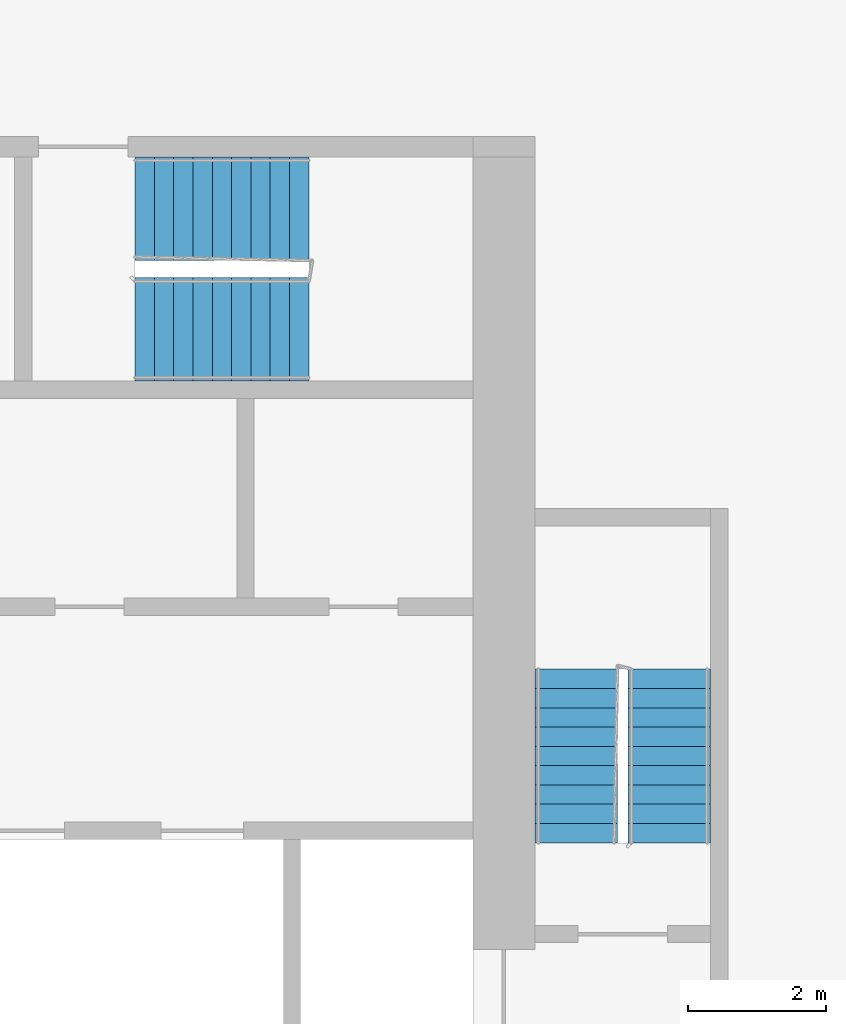
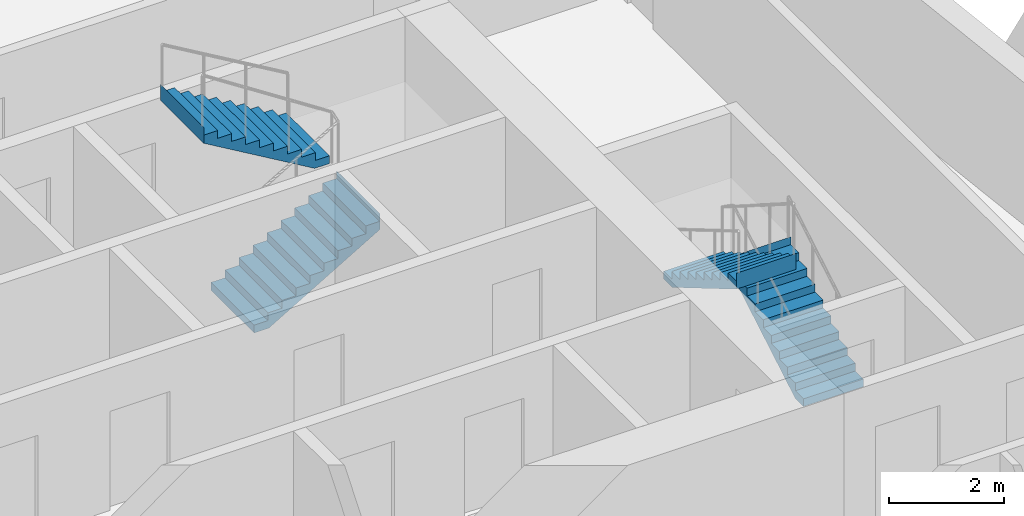
# One storey, part 11 of 13: 4 stair flights, 2 elements without a shape of their own.
"""IFC4 building model written with IfcOpenShell, lengths in metres."""

from ifc_helpers import new_model, si_unit, direction, frame, origin, place, context, subcontext, project, spatial, faceted_brep, material, type_object, element, aggregate, save


model = new_model("IFC4")

# Units and contexts
model_context = context("Model", 3, precision=1e-05, world=origin(), true_north=direction((0.0, 1.0)))
body_context = subcontext(model_context, "Body", "Model", "MODEL_VIEW")
ifc_project = project(units=[si_unit("LENGTHUNIT", "METRE"), si_unit("AREAUNIT", "SQUARE_METRE"), si_unit("VOLUMEUNIT", "CUBIC_METRE"), si_unit("PLANEANGLEUNIT", "RADIAN"), si_unit("MASSUNIT", "GRAM", prefix="KILO")], contexts=[model_context])

# Site, building, storey
site_placement = place(None, origin())
site = spatial("IfcSite", under=ifc_project, at=site_placement, CompositionType="ELEMENT")
building_placement = place(site_placement, origin())
building = spatial("IfcBuilding", under=site, at=building_placement, Name="Kajstack Hotel Tower", CompositionType="ELEMENT")
storey_placement = place(building_placement, frame((0.0, 0.0, 176.800048828125)))
storey = spatial("IfcBuildingStorey", under=building, at=storey_placement, Name="L41", CompositionType="ELEMENT", Elevation=176.800048828125)

# Stair, stair flights
ifc_material = material(Name="Concrete C40/50", Category="concrete")
stair_type_1 = type_object("IfcStairType", Name="Exit stair 1200", PredefinedType="HALF_TURN_STAIR", material=ifc_material)
stair_1_placement = place(storey_placement, origin())
stair_1 = element("IfcStair", 1, at=stair_1_placement, inside=storey, type_object=stair_type_1, Name="L41 stair E1", PredefinedType="HALF_TURN_STAIR")
stair_flight_type_1 = type_object("IfcStairFlightType", Name="Exit stair flight 1200", PredefinedType="STRAIGHT", material=ifc_material)
stair_flight_1_placement = place(storey_placement, frame((33.449951171875, 5.25, 0.0), z_axis=(0.0, 0.0, 1.0), x_axis=(0.0, 1.0, 0.0)))
stair_flight_1 = element("IfcStairFlight", 2, at=stair_flight_1_placement, type_object=stair_flight_type_1, Name="E1 flight 1", NumberOfRisers=10, NumberOfTreads=9, PredefinedType="STRAIGHT", RiserHeight=0.165, TreadLength=0.28, context=body_context, shape_type="Brep", body=[
    faceted_brep([(0.295654296875, -0.60009765625, 0.0), (2.5205078125, -0.60009765625, 1.31103515625), (2.5205078125, -0.60009765625, 1.64990234375), (2.52001953125, -0.60009765625, 1.64990234375), (2.52001953125, -0.60009765625, 1.485107421875), (2.239990234375, -0.60009765625, 1.485107421875), (2.239990234375, -0.60009765625, 1.320068359375), (1.9599609375, -0.60009765625, 1.320068359375), (1.9599609375, -0.60009765625, 1.155029296875), (1.679931640625, -0.60009765625, 1.155029296875), (1.679931640625, -0.60009765625, 0.989990234375), (1.39990234375, -0.60009765625, 0.989990234375), (1.39990234375, -0.60009765625, 0.824951171875), (1.1201171875, -0.60009765625, 0.824951171875), (1.1201171875, -0.60009765625, 0.659912109375), (0.840087890625, -0.60009765625, 0.659912109375), (0.840087890625, -0.60009765625, 0.4951171875), (0.56005859375, -0.60009765625, 0.4951171875), (0.56005859375, -0.60009765625, 0.330078125), (0.280029296875, -0.60009765625, 0.330078125), (0.280029296875, -0.60009765625, 0.1650390625), (-0.00048828125, -0.60009765625, 0.1650390625), (-0.00048828125, -0.60009765625, 0.0), (-0.00048828125, 0.60009765625, 0.0), (-0.00048828125, 0.60009765625, 0.1650390625), (0.280029296875, 0.60009765625, 0.1650390625), (0.280029296875, 0.60009765625, 0.330078125), (0.56005859375, 0.60009765625, 0.330078125), (0.56005859375, 0.60009765625, 0.4951171875), (0.840087890625, 0.60009765625, 0.4951171875), (0.840087890625, 0.60009765625, 0.659912109375), (1.1201171875, 0.60009765625, 0.659912109375), (1.1201171875, 0.60009765625, 0.824951171875), (1.39990234375, 0.60009765625, 0.824951171875), (1.39990234375, 0.60009765625, 0.989990234375), (1.679931640625, 0.60009765625, 0.989990234375), (1.679931640625, 0.60009765625, 1.155029296875), (1.9599609375, 0.60009765625, 1.155029296875), (1.9599609375, 0.60009765625, 1.320068359375), (2.239990234375, 0.60009765625, 1.320068359375), (2.239990234375, 0.60009765625, 1.485107421875), (2.52001953125, 0.60009765625, 1.485107421875), (2.52001953125, 0.60009765625, 1.64990234375), (2.5205078125, 0.60009765625, 1.64990234375), (2.5205078125, 0.60009765625, 1.31103515625), (0.295654296875, 0.60009765625, 0.0), (-0.00048828125, -0.300048828125, 0.1650390625), (-0.00048828125, 0.0, 0.1650390625), (-0.00048828125, 0.300048828125, 0.1650390625), (-0.00048828125, 0.300048828125, 0.0), (-0.00048828125, 0.0, 0.0), (-0.00048828125, -0.300048828125, 0.0), (0.280029296875, -0.300048828125, 0.1650390625), (0.280029296875, 0.0, 0.1650390625), (0.280029296875, 0.300048828125, 0.1650390625), (0.280029296875, -0.300048828125, 0.330078125), (0.280029296875, 0.0, 0.330078125), (0.280029296875, 0.300048828125, 0.330078125), (0.56005859375, -0.300048828125, 0.330078125), (0.56005859375, 0.0, 0.330078125), (0.56005859375, 0.300048828125, 0.330078125), (0.56005859375, -0.300048828125, 0.4951171875), (0.56005859375, 0.0, 0.4951171875), (0.56005859375, 0.300048828125, 0.4951171875), (0.840087890625, -0.300048828125, 0.4951171875), (0.840087890625, 0.0, 0.4951171875), (0.840087890625, 0.300048828125, 0.4951171875), (0.840087890625, -0.300048828125, 0.659912109375), (0.840087890625, 0.0, 0.659912109375), (0.840087890625, 0.300048828125, 0.659912109375), (1.1201171875, -0.300048828125, 0.659912109375), (1.1201171875, 0.0, 0.659912109375), (1.1201171875, 0.300048828125, 0.659912109375), (1.1201171875, -0.300048828125, 0.824951171875), (1.1201171875, 0.0, 0.824951171875), (1.1201171875, 0.300048828125, 0.824951171875), (1.39990234375, -0.300048828125, 0.824951171875), (1.39990234375, 0.0, 0.824951171875), (1.39990234375, 0.300048828125, 0.824951171875), (1.39990234375, -0.300048828125, 0.989990234375), (1.39990234375, 0.0, 0.989990234375), (1.39990234375, 0.300048828125, 0.989990234375), (1.679931640625, -0.300048828125, 0.989990234375), (1.679931640625, 0.0, 0.989990234375), (1.679931640625, 0.300048828125, 0.989990234375), (1.679931640625, -0.300048828125, 1.155029296875), (1.679931640625, 0.0, 1.155029296875), (1.679931640625, 0.300048828125, 1.155029296875), (1.9599609375, -0.300048828125, 1.155029296875), (1.9599609375, 0.0, 1.155029296875), (1.9599609375, 0.300048828125, 1.155029296875), (1.9599609375, -0.300048828125, 1.320068359375), (1.9599609375, 0.0, 1.320068359375), (1.9599609375, 0.300048828125, 1.320068359375), (2.239990234375, -0.300048828125, 1.320068359375), (2.239990234375, 0.0, 1.320068359375), (2.239990234375, 0.300048828125, 1.320068359375), (2.239990234375, -0.300048828125, 1.485107421875), (2.239990234375, 0.0, 1.485107421875), (2.239990234375, 0.300048828125, 1.485107421875), (2.52001953125, -0.300048828125, 1.485107421875), (2.52001953125, 0.0, 1.485107421875), (2.52001953125, 0.300048828125, 1.485107421875), (2.52001953125, -0.300048828125, 1.64990234375), (2.52001953125, 0.0, 1.64990234375), (2.52001953125, 0.300048828125, 1.64990234375), (2.5205078125, -0.300048828125, 1.64990234375), (2.5205078125, 0.0, 1.64990234375), (2.5205078125, 0.300048828125, 1.64990234375), (2.5205078125, -0.300048828125, 1.31103515625), (2.5205078125, 0.0, 1.31103515625), (2.5205078125, 0.300048828125, 1.31103515625), (0.295654296875, -0.300048828125, 0.0), (0.295654296875, 0.0, 0.0), (0.295654296875, 0.300048828125, 0.0)], [[[0, 1, 2, 3, 4, 5, 6, 7, 8, 9, 10, 11, 12, 13, 14, 15, 16, 17, 18, 19, 20, 21, 22]], [[23, 24, 25, 26, 27, 28, 29, 30, 31, 32, 33, 34, 35, 36, 37, 38, 39, 40, 41, 42, 43, 44, 45]], [[21, 46, 47, 48, 24, 23, 49, 50, 51, 22]], [[20, 52, 53, 54, 25, 24, 48, 47, 46, 21]], [[19, 55, 56, 57, 26, 25, 54, 53, 52, 20]], [[18, 58, 59, 60, 27, 26, 57, 56, 55, 19]], [[17, 61, 62, 63, 28, 27, 60, 59, 58, 18]], [[16, 64, 65, 66, 29, 28, 63, 62, 61, 17]], [[15, 67, 68, 69, 30, 29, 66, 65, 64, 16]], [[14, 70, 71, 72, 31, 30, 69, 68, 67, 15]], [[13, 73, 74, 75, 32, 31, 72, 71, 70, 14]], [[12, 76, 77, 78, 33, 32, 75, 74, 73, 13]], [[11, 79, 80, 81, 34, 33, 78, 77, 76, 12]], [[10, 82, 83, 84, 35, 34, 81, 80, 79, 11]], [[9, 85, 86, 87, 36, 35, 84, 83, 82, 10]], [[8, 88, 89, 90, 37, 36, 87, 86, 85, 9]], [[7, 91, 92, 93, 38, 37, 90, 89, 88, 8]], [[6, 94, 95, 96, 39, 38, 93, 92, 91, 7]], [[5, 97, 98, 99, 40, 39, 96, 95, 94, 6]], [[4, 100, 101, 102, 41, 40, 99, 98, 97, 5]], [[3, 103, 104, 105, 42, 41, 102, 101, 100, 4]], [[2, 106, 107, 108, 43, 42, 105, 104, 103, 3]], [[1, 109, 110, 111, 44, 43, 108, 107, 106, 2]], [[0, 112, 113, 114, 45, 44, 111, 110, 109, 1]], [[22, 51, 50, 49, 23, 45, 114, 113, 112, 0]]]),
])
stair_flight_2_placement = place(storey_placement, frame((32.10009765625, 7.77001953125, 1.64990234375), z_axis=(0.0, 0.0, 1.0), x_axis=(0.0, -1.0, 0.0)))
stair_flight_2 = element("IfcStairFlight", 3, at=stair_flight_2_placement, type_object=stair_flight_type_1, Name="E1 flight 2", NumberOfRisers=10, NumberOfTreads=9, PredefinedType="STRAIGHT", RiserHeight=0.165, TreadLength=0.28, context=body_context, shape_type="Brep", body=[
    faceted_brep([(0.295654296875, -0.60009765625, 0.0), (2.5205078125, -0.60009765625, 1.31103515625), (2.5205078125, -0.60009765625, 1.64990234375), (2.52001953125, -0.60009765625, 1.64990234375), (2.52001953125, -0.60009765625, 1.485107421875), (2.239990234375, -0.60009765625, 1.485107421875), (2.239990234375, -0.60009765625, 1.320068359375), (1.9599609375, -0.60009765625, 1.320068359375), (1.9599609375, -0.60009765625, 1.155029296875), (1.679931640625, -0.60009765625, 1.155029296875), (1.679931640625, -0.60009765625, 0.989990234375), (1.39990234375, -0.60009765625, 0.989990234375), (1.39990234375, -0.60009765625, 0.824951171875), (1.1201171875, -0.60009765625, 0.824951171875), (1.1201171875, -0.60009765625, 0.659912109375), (0.840087890625, -0.60009765625, 0.659912109375), (0.840087890625, -0.60009765625, 0.4951171875), (0.56005859375, -0.60009765625, 0.4951171875), (0.56005859375, -0.60009765625, 0.330078125), (0.280029296875, -0.60009765625, 0.330078125), (0.280029296875, -0.60009765625, 0.1650390625), (-0.00048828125, -0.60009765625, 0.1650390625), (-0.00048828125, -0.60009765625, 0.0), (-0.00048828125, 0.60009765625, 0.0), (-0.00048828125, 0.60009765625, 0.1650390625), (0.280029296875, 0.60009765625, 0.1650390625), (0.280029296875, 0.60009765625, 0.330078125), (0.56005859375, 0.60009765625, 0.330078125), (0.56005859375, 0.60009765625, 0.4951171875), (0.840087890625, 0.60009765625, 0.4951171875), (0.840087890625, 0.60009765625, 0.659912109375), (1.1201171875, 0.60009765625, 0.659912109375), (1.1201171875, 0.60009765625, 0.824951171875), (1.39990234375, 0.60009765625, 0.824951171875), (1.39990234375, 0.60009765625, 0.989990234375), (1.679931640625, 0.60009765625, 0.989990234375), (1.679931640625, 0.60009765625, 1.155029296875), (1.9599609375, 0.60009765625, 1.155029296875), (1.9599609375, 0.60009765625, 1.320068359375), (2.239990234375, 0.60009765625, 1.320068359375), (2.239990234375, 0.60009765625, 1.485107421875), (2.52001953125, 0.60009765625, 1.485107421875), (2.52001953125, 0.60009765625, 1.64990234375), (2.5205078125, 0.60009765625, 1.64990234375), (2.5205078125, 0.60009765625, 1.31103515625), (0.295654296875, 0.60009765625, 0.0), (-0.00048828125, -0.300048828125, 0.1650390625), (-0.00048828125, 0.0, 0.1650390625), (-0.00048828125, 0.300048828125, 0.1650390625), (-0.00048828125, 0.300048828125, 0.0), (-0.00048828125, 0.0, 0.0), (-0.00048828125, -0.300048828125, 0.0), (0.280029296875, -0.300048828125, 0.1650390625), (0.280029296875, 0.0, 0.1650390625), (0.280029296875, 0.300048828125, 0.1650390625), (0.280029296875, -0.300048828125, 0.330078125), (0.280029296875, 0.0, 0.330078125), (0.280029296875, 0.300048828125, 0.330078125), (0.56005859375, -0.300048828125, 0.330078125), (0.56005859375, 0.0, 0.330078125), (0.56005859375, 0.300048828125, 0.330078125), (0.56005859375, -0.300048828125, 0.4951171875), (0.56005859375, 0.0, 0.4951171875), (0.56005859375, 0.300048828125, 0.4951171875), (0.840087890625, -0.300048828125, 0.4951171875), (0.840087890625, 0.0, 0.4951171875), (0.840087890625, 0.300048828125, 0.4951171875), (0.840087890625, -0.300048828125, 0.659912109375), (0.840087890625, 0.0, 0.659912109375), (0.840087890625, 0.300048828125, 0.659912109375), (1.1201171875, -0.300048828125, 0.659912109375), (1.1201171875, 0.0, 0.659912109375), (1.1201171875, 0.300048828125, 0.659912109375), (1.1201171875, -0.300048828125, 0.824951171875), (1.1201171875, 0.0, 0.824951171875), (1.1201171875, 0.300048828125, 0.824951171875), (1.39990234375, -0.300048828125, 0.824951171875), (1.39990234375, 0.0, 0.824951171875), (1.39990234375, 0.300048828125, 0.824951171875), (1.39990234375, -0.300048828125, 0.989990234375), (1.39990234375, 0.0, 0.989990234375), (1.39990234375, 0.300048828125, 0.989990234375), (1.679931640625, -0.300048828125, 0.989990234375), (1.679931640625, 0.0, 0.989990234375), (1.679931640625, 0.300048828125, 0.989990234375), (1.679931640625, -0.300048828125, 1.155029296875), (1.679931640625, 0.0, 1.155029296875), (1.679931640625, 0.300048828125, 1.155029296875), (1.9599609375, -0.300048828125, 1.155029296875), (1.9599609375, 0.0, 1.155029296875), (1.9599609375, 0.300048828125, 1.155029296875), (1.9599609375, -0.300048828125, 1.320068359375), (1.9599609375, 0.0, 1.320068359375), (1.9599609375, 0.300048828125, 1.320068359375), (2.239990234375, -0.300048828125, 1.320068359375), (2.239990234375, 0.0, 1.320068359375), (2.239990234375, 0.300048828125, 1.320068359375), (2.239990234375, -0.300048828125, 1.485107421875), (2.239990234375, 0.0, 1.485107421875), (2.239990234375, 0.300048828125, 1.485107421875), (2.52001953125, -0.300048828125, 1.485107421875), (2.52001953125, 0.0, 1.485107421875), (2.52001953125, 0.300048828125, 1.485107421875), (2.52001953125, -0.300048828125, 1.64990234375), (2.52001953125, 0.0, 1.64990234375), (2.52001953125, 0.300048828125, 1.64990234375), (2.5205078125, -0.300048828125, 1.64990234375), (2.5205078125, 0.0, 1.64990234375), (2.5205078125, 0.300048828125, 1.64990234375), (2.5205078125, -0.300048828125, 1.31103515625), (2.5205078125, 0.0, 1.31103515625), (2.5205078125, 0.300048828125, 1.31103515625), (0.295654296875, -0.300048828125, 0.0), (0.295654296875, 0.0, 0.0), (0.295654296875, 0.300048828125, 0.0)], [[[0, 1, 2, 3, 4, 5, 6, 7, 8, 9, 10, 11, 12, 13, 14, 15, 16, 17, 18, 19, 20, 21, 22]], [[23, 24, 25, 26, 27, 28, 29, 30, 31, 32, 33, 34, 35, 36, 37, 38, 39, 40, 41, 42, 43, 44, 45]], [[21, 46, 47, 48, 24, 23, 49, 50, 51, 22]], [[20, 52, 53, 54, 25, 24, 48, 47, 46, 21]], [[19, 55, 56, 57, 26, 25, 54, 53, 52, 20]], [[18, 58, 59, 60, 27, 26, 57, 56, 55, 19]], [[17, 61, 62, 63, 28, 27, 60, 59, 58, 18]], [[16, 64, 65, 66, 29, 28, 63, 62, 61, 17]], [[15, 67, 68, 69, 30, 29, 66, 65, 64, 16]], [[14, 70, 71, 72, 31, 30, 69, 68, 67, 15]], [[13, 73, 74, 75, 32, 31, 72, 71, 70, 14]], [[12, 76, 77, 78, 33, 32, 75, 74, 73, 13]], [[11, 79, 80, 81, 34, 33, 78, 77, 76, 12]], [[10, 82, 83, 84, 35, 34, 81, 80, 79, 11]], [[9, 85, 86, 87, 36, 35, 84, 83, 82, 10]], [[8, 88, 89, 90, 37, 36, 87, 86, 85, 9]], [[7, 91, 92, 93, 38, 37, 90, 89, 88, 8]], [[6, 94, 95, 96, 39, 38, 93, 92, 91, 7]], [[5, 97, 98, 99, 40, 39, 96, 95, 94, 6]], [[4, 100, 101, 102, 41, 40, 99, 98, 97, 5]], [[3, 103, 104, 105, 42, 41, 102, 101, 100, 4]], [[2, 106, 107, 108, 43, 42, 105, 104, 103, 3]], [[1, 109, 110, 111, 44, 43, 108, 107, 106, 2]], [[0, 112, 113, 114, 45, 44, 111, 110, 109, 1]], [[22, 51, 50, 49, 23, 45, 114, 113, 112, 0]]]),
])
aggregate(stair_1, [stair_flight_1, stair_flight_2])

stair_type_2 = type_object("IfcStairType", Name="Exit stair 1500", PredefinedType="HALF_TURN_STAIR", material=ifc_material)
stair_2_placement = place(storey_placement, origin())
stair_2 = element("IfcStair", 4, at=stair_2_placement, inside=storey, type_object=stair_type_2, Name="L41 stair E3", PredefinedType="HALF_TURN_STAIR")
stair_flight_type_2 = type_object("IfcStairFlightType", Name="Exit stair flight 1500", PredefinedType="STRAIGHT", material=ifc_material)
stair_flight_3_placement = place(storey_placement, frame((25.699951171875, 12.699951171875, 0.0), z_axis=(0.0, 0.0, 1.0), x_axis=(1.0, 0.0, 0.0)))
stair_flight_3 = element("IfcStairFlight", 5, at=stair_flight_3_placement, type_object=stair_flight_type_2, Name="E3 flight 1", NumberOfRisers=10, NumberOfTreads=9, PredefinedType="STRAIGHT", RiserHeight=0.165, TreadLength=0.28, context=body_context, shape_type="Brep", body=[
    faceted_brep([(0.295654296875, -0.75, 0.0), (2.5205078125, -0.75, 1.31103515625), (2.5205078125, -0.75, 1.64990234375), (2.52001953125, -0.75, 1.64990234375), (2.52001953125, -0.75, 1.485107421875), (2.239990234375, -0.75, 1.485107421875), (2.239990234375, -0.75, 1.320068359375), (1.9599609375, -0.75, 1.320068359375), (1.9599609375, -0.75, 1.155029296875), (1.679931640625, -0.75, 1.155029296875), (1.679931640625, -0.75, 0.989990234375), (1.39990234375, -0.75, 0.989990234375), (1.39990234375, -0.75, 0.824951171875), (1.1201171875, -0.75, 0.824951171875), (1.1201171875, -0.75, 0.659912109375), (0.840087890625, -0.75, 0.659912109375), (0.840087890625, -0.75, 0.4951171875), (0.56005859375, -0.75, 0.4951171875), (0.56005859375, -0.75, 0.330078125), (0.280029296875, -0.75, 0.330078125), (0.280029296875, -0.75, 0.1650390625), (-0.00048828125, -0.75, 0.1650390625), (-0.00048828125, -0.75, 0.0), (-0.00048828125, 0.75, 0.0), (-0.00048828125, 0.75, 0.1650390625), (0.280029296875, 0.75, 0.1650390625), (0.280029296875, 0.75, 0.330078125), (0.56005859375, 0.75, 0.330078125), (0.56005859375, 0.75, 0.4951171875), (0.840087890625, 0.75, 0.4951171875), (0.840087890625, 0.75, 0.659912109375), (1.1201171875, 0.75, 0.659912109375), (1.1201171875, 0.75, 0.824951171875), (1.39990234375, 0.75, 0.824951171875), (1.39990234375, 0.75, 0.989990234375), (1.679931640625, 0.75, 0.989990234375), (1.679931640625, 0.75, 1.155029296875), (1.9599609375, 0.75, 1.155029296875), (1.9599609375, 0.75, 1.320068359375), (2.239990234375, 0.75, 1.320068359375), (2.239990234375, 0.75, 1.485107421875), (2.52001953125, 0.75, 1.485107421875), (2.52001953125, 0.75, 1.64990234375), (2.5205078125, 0.75, 1.64990234375), (2.5205078125, 0.75, 1.31103515625), (0.295654296875, 0.75, 0.0), (-0.00048828125, -0.375, 0.1650390625), (-0.00048828125, 0.0, 0.1650390625), (-0.00048828125, 0.375, 0.1650390625), (-0.00048828125, 0.375, 0.0), (-0.00048828125, 0.0, 0.0), (-0.00048828125, -0.375, 0.0), (0.280029296875, -0.375, 0.1650390625), (0.280029296875, 0.0, 0.1650390625), (0.280029296875, 0.375, 0.1650390625), (0.280029296875, -0.375, 0.330078125), (0.280029296875, 0.0, 0.330078125), (0.280029296875, 0.375, 0.330078125), (0.56005859375, -0.375, 0.330078125), (0.56005859375, 0.0, 0.330078125), (0.56005859375, 0.375, 0.330078125), (0.56005859375, -0.375, 0.4951171875), (0.56005859375, 0.0, 0.4951171875), (0.56005859375, 0.375, 0.4951171875), (0.840087890625, -0.375, 0.4951171875), (0.840087890625, 0.0, 0.4951171875), (0.840087890625, 0.375, 0.4951171875), (0.840087890625, -0.375, 0.659912109375), (0.840087890625, 0.0, 0.659912109375), (0.840087890625, 0.375, 0.659912109375), (1.1201171875, -0.375, 0.659912109375), (1.1201171875, 0.0, 0.659912109375), (1.1201171875, 0.375, 0.659912109375), (1.1201171875, -0.375, 0.824951171875), (1.1201171875, 0.0, 0.824951171875), (1.1201171875, 0.375, 0.824951171875), (1.39990234375, -0.375, 0.824951171875), (1.39990234375, 0.0, 0.824951171875), (1.39990234375, 0.375, 0.824951171875), (1.39990234375, -0.375, 0.989990234375), (1.39990234375, 0.0, 0.989990234375), (1.39990234375, 0.375, 0.989990234375), (1.679931640625, -0.375, 0.989990234375), (1.679931640625, 0.0, 0.989990234375), (1.679931640625, 0.375, 0.989990234375), (1.679931640625, -0.375, 1.155029296875), (1.679931640625, 0.0, 1.155029296875), (1.679931640625, 0.375, 1.155029296875), (1.9599609375, -0.375, 1.155029296875), (1.9599609375, 0.0, 1.155029296875), (1.9599609375, 0.375, 1.155029296875), (1.9599609375, -0.375, 1.320068359375), (1.9599609375, 0.0, 1.320068359375), (1.9599609375, 0.375, 1.320068359375), (2.239990234375, -0.375, 1.320068359375), (2.239990234375, 0.0, 1.320068359375), (2.239990234375, 0.375, 1.320068359375), (2.239990234375, -0.375, 1.485107421875), (2.239990234375, 0.0, 1.485107421875), (2.239990234375, 0.375, 1.485107421875), (2.52001953125, -0.375, 1.485107421875), (2.52001953125, 0.0, 1.485107421875), (2.52001953125, 0.375, 1.485107421875), (2.52001953125, -0.375, 1.64990234375), (2.52001953125, 0.0, 1.64990234375), (2.52001953125, 0.375, 1.64990234375), (2.5205078125, -0.375, 1.64990234375), (2.5205078125, 0.0, 1.64990234375), (2.5205078125, 0.375, 1.64990234375), (2.5205078125, -0.375, 1.31103515625), (2.5205078125, 0.0, 1.31103515625), (2.5205078125, 0.375, 1.31103515625), (0.295654296875, -0.375, 0.0), (0.295654296875, 0.0, 0.0), (0.295654296875, 0.375, 0.0)], [[[0, 1, 2, 3, 4, 5, 6, 7, 8, 9, 10, 11, 12, 13, 14, 15, 16, 17, 18, 19, 20, 21, 22]], [[23, 24, 25, 26, 27, 28, 29, 30, 31, 32, 33, 34, 35, 36, 37, 38, 39, 40, 41, 42, 43, 44, 45]], [[21, 46, 47, 48, 24, 23, 49, 50, 51, 22]], [[20, 52, 53, 54, 25, 24, 48, 47, 46, 21]], [[19, 55, 56, 57, 26, 25, 54, 53, 52, 20]], [[18, 58, 59, 60, 27, 26, 57, 56, 55, 19]], [[17, 61, 62, 63, 28, 27, 60, 59, 58, 18]], [[16, 64, 65, 66, 29, 28, 63, 62, 61, 17]], [[15, 67, 68, 69, 30, 29, 66, 65, 64, 16]], [[14, 70, 71, 72, 31, 30, 69, 68, 67, 15]], [[13, 73, 74, 75, 32, 31, 72, 71, 70, 14]], [[12, 76, 77, 78, 33, 32, 75, 74, 73, 13]], [[11, 79, 80, 81, 34, 33, 78, 77, 76, 12]], [[10, 82, 83, 84, 35, 34, 81, 80, 79, 11]], [[9, 85, 86, 87, 36, 35, 84, 83, 82, 10]], [[8, 88, 89, 90, 37, 36, 87, 86, 85, 9]], [[7, 91, 92, 93, 38, 37, 90, 89, 88, 8]], [[6, 94, 95, 96, 39, 38, 93, 92, 91, 7]], [[5, 97, 98, 99, 40, 39, 96, 95, 94, 6]], [[4, 100, 101, 102, 41, 40, 99, 98, 97, 5]], [[3, 103, 104, 105, 42, 41, 102, 101, 100, 4]], [[2, 106, 107, 108, 43, 42, 105, 104, 103, 3]], [[1, 109, 110, 111, 44, 43, 108, 107, 106, 2]], [[0, 112, 113, 114, 45, 44, 111, 110, 109, 1]], [[22, 51, 50, 49, 23, 45, 114, 113, 112, 0]]]),
])
stair_flight_4_placement = place(storey_placement, frame((28.219970703125, 14.449951171875, 1.64990234375), z_axis=(0.0, 0.0, 1.0), x_axis=(-1.0, 0.0, 0.0)))
stair_flight_4 = element("IfcStairFlight", 6, at=stair_flight_4_placement, type_object=stair_flight_type_2, Name="E3 flight 2", NumberOfRisers=10, NumberOfTreads=9, PredefinedType="STRAIGHT", RiserHeight=0.165, TreadLength=0.28, context=body_context, shape_type="Brep", body=[
    faceted_brep([(0.295654296875, -0.75, 0.0), (2.5205078125, -0.75, 1.31103515625), (2.5205078125, -0.75, 1.64990234375), (2.52001953125, -0.75, 1.64990234375), (2.52001953125, -0.75, 1.485107421875), (2.239990234375, -0.75, 1.485107421875), (2.239990234375, -0.75, 1.320068359375), (1.9599609375, -0.75, 1.320068359375), (1.9599609375, -0.75, 1.155029296875), (1.679931640625, -0.75, 1.155029296875), (1.679931640625, -0.75, 0.989990234375), (1.39990234375, -0.75, 0.989990234375), (1.39990234375, -0.75, 0.824951171875), (1.1201171875, -0.75, 0.824951171875), (1.1201171875, -0.75, 0.659912109375), (0.840087890625, -0.75, 0.659912109375), (0.840087890625, -0.75, 0.4951171875), (0.56005859375, -0.75, 0.4951171875), (0.56005859375, -0.75, 0.330078125), (0.280029296875, -0.75, 0.330078125), (0.280029296875, -0.75, 0.1650390625), (-0.00048828125, -0.75, 0.1650390625), (-0.00048828125, -0.75, 0.0), (-0.00048828125, 0.75, 0.0), (-0.00048828125, 0.75, 0.1650390625), (0.280029296875, 0.75, 0.1650390625), (0.280029296875, 0.75, 0.330078125), (0.56005859375, 0.75, 0.330078125), (0.56005859375, 0.75, 0.4951171875), (0.840087890625, 0.75, 0.4951171875), (0.840087890625, 0.75, 0.659912109375), (1.1201171875, 0.75, 0.659912109375), (1.1201171875, 0.75, 0.824951171875), (1.39990234375, 0.75, 0.824951171875), (1.39990234375, 0.75, 0.989990234375), (1.679931640625, 0.75, 0.989990234375), (1.679931640625, 0.75, 1.155029296875), (1.9599609375, 0.75, 1.155029296875), (1.9599609375, 0.75, 1.320068359375), (2.239990234375, 0.75, 1.320068359375), (2.239990234375, 0.75, 1.485107421875), (2.52001953125, 0.75, 1.485107421875), (2.52001953125, 0.75, 1.64990234375), (2.5205078125, 0.75, 1.64990234375), (2.5205078125, 0.75, 1.31103515625), (0.295654296875, 0.75, 0.0), (-0.00048828125, -0.375, 0.1650390625), (-0.00048828125, 0.0, 0.1650390625), (-0.00048828125, 0.375, 0.1650390625), (-0.00048828125, 0.375, 0.0), (-0.00048828125, 0.0, 0.0), (-0.00048828125, -0.375, 0.0), (0.280029296875, -0.375, 0.1650390625), (0.280029296875, 0.0, 0.1650390625), (0.280029296875, 0.375, 0.1650390625), (0.280029296875, -0.375, 0.330078125), (0.280029296875, 0.0, 0.330078125), (0.280029296875, 0.375, 0.330078125), (0.56005859375, -0.375, 0.330078125), (0.56005859375, 0.0, 0.330078125), (0.56005859375, 0.375, 0.330078125), (0.56005859375, -0.375, 0.4951171875), (0.56005859375, 0.0, 0.4951171875), (0.56005859375, 0.375, 0.4951171875), (0.840087890625, -0.375, 0.4951171875), (0.840087890625, 0.0, 0.4951171875), (0.840087890625, 0.375, 0.4951171875), (0.840087890625, -0.375, 0.659912109375), (0.840087890625, 0.0, 0.659912109375), (0.840087890625, 0.375, 0.659912109375), (1.1201171875, -0.375, 0.659912109375), (1.1201171875, 0.0, 0.659912109375), (1.1201171875, 0.375, 0.659912109375), (1.1201171875, -0.375, 0.824951171875), (1.1201171875, 0.0, 0.824951171875), (1.1201171875, 0.375, 0.824951171875), (1.39990234375, -0.375, 0.824951171875), (1.39990234375, 0.0, 0.824951171875), (1.39990234375, 0.375, 0.824951171875), (1.39990234375, -0.375, 0.989990234375), (1.39990234375, 0.0, 0.989990234375), (1.39990234375, 0.375, 0.989990234375), (1.679931640625, -0.375, 0.989990234375), (1.679931640625, 0.0, 0.989990234375), (1.679931640625, 0.375, 0.989990234375), (1.679931640625, -0.375, 1.155029296875), (1.679931640625, 0.0, 1.155029296875), (1.679931640625, 0.375, 1.155029296875), (1.9599609375, -0.375, 1.155029296875), (1.9599609375, 0.0, 1.155029296875), (1.9599609375, 0.375, 1.155029296875), (1.9599609375, -0.375, 1.320068359375), (1.9599609375, 0.0, 1.320068359375), (1.9599609375, 0.375, 1.320068359375), (2.239990234375, -0.375, 1.320068359375), (2.239990234375, 0.0, 1.320068359375), (2.239990234375, 0.375, 1.320068359375), (2.239990234375, -0.375, 1.485107421875), (2.239990234375, 0.0, 1.485107421875), (2.239990234375, 0.375, 1.485107421875), (2.52001953125, -0.375, 1.485107421875), (2.52001953125, 0.0, 1.485107421875), (2.52001953125, 0.375, 1.485107421875), (2.52001953125, -0.375, 1.64990234375), (2.52001953125, 0.0, 1.64990234375), (2.52001953125, 0.375, 1.64990234375), (2.5205078125, -0.375, 1.64990234375), (2.5205078125, 0.0, 1.64990234375), (2.5205078125, 0.375, 1.64990234375), (2.5205078125, -0.375, 1.31103515625), (2.5205078125, 0.0, 1.31103515625), (2.5205078125, 0.375, 1.31103515625), (0.295654296875, -0.375, 0.0), (0.295654296875, 0.0, 0.0), (0.295654296875, 0.375, 0.0)], [[[0, 1, 2, 3, 4, 5, 6, 7, 8, 9, 10, 11, 12, 13, 14, 15, 16, 17, 18, 19, 20, 21, 22]], [[23, 24, 25, 26, 27, 28, 29, 30, 31, 32, 33, 34, 35, 36, 37, 38, 39, 40, 41, 42, 43, 44, 45]], [[21, 46, 47, 48, 24, 23, 49, 50, 51, 22]], [[20, 52, 53, 54, 25, 24, 48, 47, 46, 21]], [[19, 55, 56, 57, 26, 25, 54, 53, 52, 20]], [[18, 58, 59, 60, 27, 26, 57, 56, 55, 19]], [[17, 61, 62, 63, 28, 27, 60, 59, 58, 18]], [[16, 64, 65, 66, 29, 28, 63, 62, 61, 17]], [[15, 67, 68, 69, 30, 29, 66, 65, 64, 16]], [[14, 70, 71, 72, 31, 30, 69, 68, 67, 15]], [[13, 73, 74, 75, 32, 31, 72, 71, 70, 14]], [[12, 76, 77, 78, 33, 32, 75, 74, 73, 13]], [[11, 79, 80, 81, 34, 33, 78, 77, 76, 12]], [[10, 82, 83, 84, 35, 34, 81, 80, 79, 11]], [[9, 85, 86, 87, 36, 35, 84, 83, 82, 10]], [[8, 88, 89, 90, 37, 36, 87, 86, 85, 9]], [[7, 91, 92, 93, 38, 37, 90, 89, 88, 8]], [[6, 94, 95, 96, 39, 38, 93, 92, 91, 7]], [[5, 97, 98, 99, 40, 39, 96, 95, 94, 6]], [[4, 100, 101, 102, 41, 40, 99, 98, 97, 5]], [[3, 103, 104, 105, 42, 41, 102, 101, 100, 4]], [[2, 106, 107, 108, 43, 42, 105, 104, 103, 3]], [[1, 109, 110, 111, 44, 43, 108, 107, 106, 2]], [[0, 112, 113, 114, 45, 44, 111, 110, 109, 1]], [[22, 51, 50, 49, 23, 45, 114, 113, 112, 0]]]),
])
aggregate(stair_2, [stair_flight_3, stair_flight_4])

save(model, "model.ifc")
